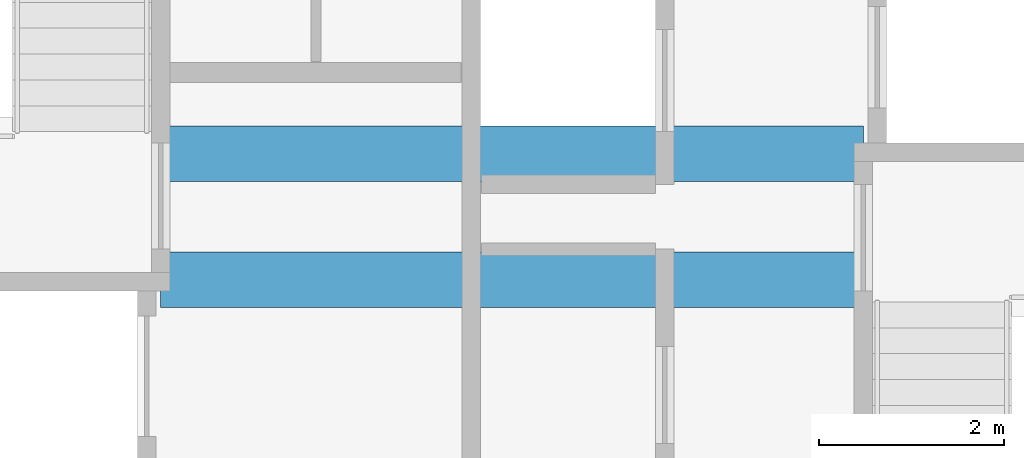
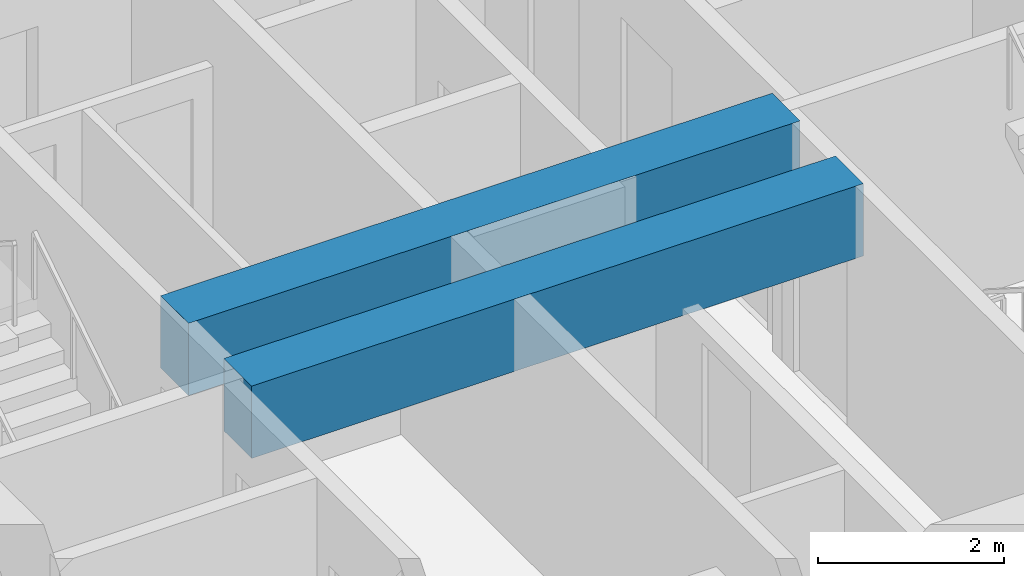
# One storey, part 8 of 42: 2 beams.
"""IFC4 building model written with IfcOpenShell, lengths in metres."""

from ifc_helpers import new_model, si_unit, direction, frame, origin, origin_2d, place, context, subcontext, project, spatial, rectangle, extrude, material, material_profile, profile_set, type_object, element, save


model = new_model("IFC4")

# Units and contexts
model_context = context("Model", 3, precision=1e-05, world=origin(), true_north=direction((0.0, 1.0)))
body_context = subcontext(model_context, "Body", "Model", "MODEL_VIEW")
ifc_project = project(units=[si_unit("LENGTHUNIT", "METRE"), si_unit("AREAUNIT", "SQUARE_METRE"), si_unit("VOLUMEUNIT", "CUBIC_METRE"), si_unit("PLANEANGLEUNIT", "RADIAN"), si_unit("MASSUNIT", "GRAM", prefix="KILO")], contexts=[model_context])

# Site, building, storey
site_placement = place(None, origin())
site = spatial("IfcSite", under=ifc_project, at=site_placement, CompositionType="ELEMENT")
building_placement = place(site_placement, origin())
building = spatial("IfcBuilding", under=site, at=building_placement, Name="Tashvorn Skyway Center", CompositionType="ELEMENT")
storey_placement = place(building_placement, frame((0.0, 0.0, 196.050048828125)))
storey = spatial("IfcBuildingStorey", under=building, at=storey_placement, Name="L53", CompositionType="ELEMENT", Elevation=196.050048828125)

# Beams
ifc_material = material(Name="Concrete C60/75", Category="concrete")
ifc_material_profile = material_profile(ifc_material, rectangle(XDim=0.60009765625, YDim=0.949951171875, at=origin_2d()), Name="RCB600x950")
ifc_profile_set = profile_set([ifc_material_profile], Name="Concrete C60/75")
beam_type = type_object("IfcBeamType", Name="BM-LINTEL-RCB600x950", PredefinedType="LINTEL", material=ifc_profile_set)
for number, where, z_axis, x_axis, name in (
    (1, (38.199951171875, 32.679931640625, 2.77490234375), (1.0, 0.0, 0.0), (0.0, 1.0, 0.0), "Tower 1 L53 Core Coupling Beam CN"),
    (2, (38.199951171875, 31.320068359375, 2.77490234375), (1.0, 0.0, 0.0), (0.0, 1.0, 0.0), "Tower 1 L53 Core Coupling Beam CS"),
):
    element("IfcBeam", number, at=place(storey_placement, frame(where, z_axis=z_axis, x_axis=x_axis)), inside=storey, type_object=beam_type, Name=name, PredefinedType="LINTEL", context=body_context, shape_type="SweptSolid", body=[
        extrude(rectangle(XDim=0.60009765625, YDim=0.949951171875, at=origin_2d()), origin(), (0.0, 0.0, 1.0), 7.60009765625),
    ])

save(model, "model.ifc")
